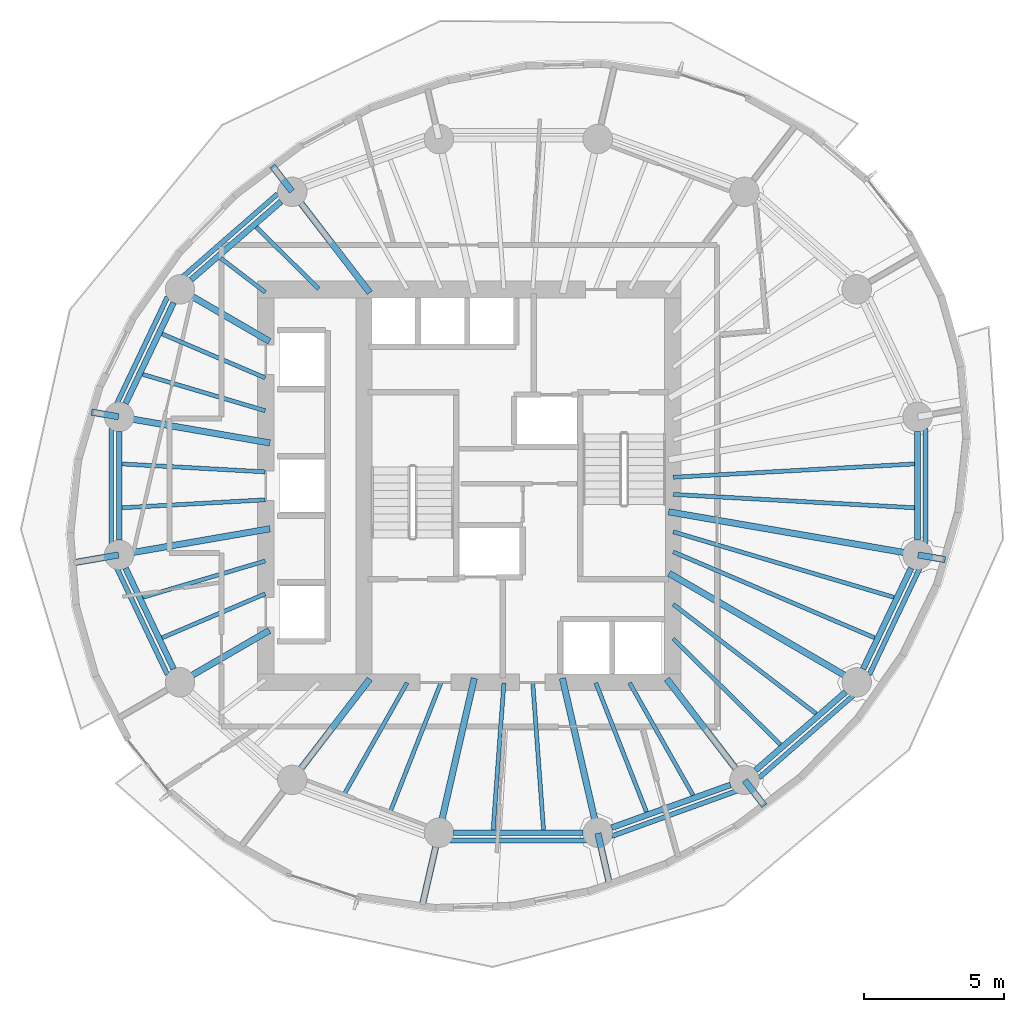
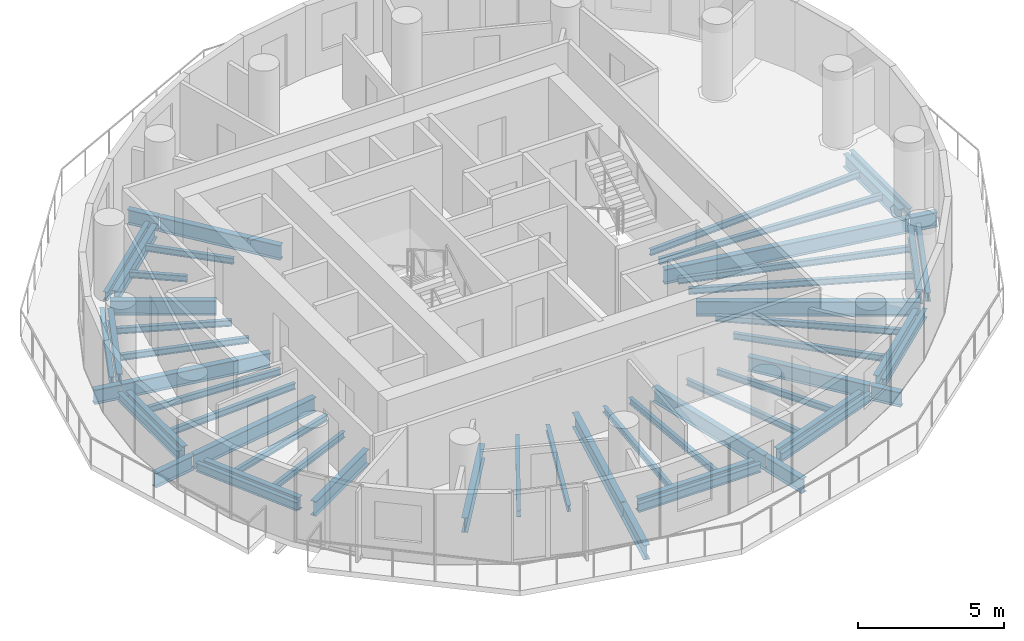
# One storey, part 2 of 12: 56 beams.
"""IFC4 building model written with IfcOpenShell, lengths in metres."""

from ifc_helpers import new_model, si_unit, direction, frame, origin, origin_2d, place, context, subcontext, project, spatial, i_section, extrude, material, material_profile, profile_set, type_object, element, save


model = new_model("IFC4")

# Units and contexts
model_context = context("Model", 3, precision=1e-05, world=origin(), true_north=direction((0.0, 1.0)))
body_context = subcontext(model_context, "Body", "Model", "MODEL_VIEW")
ifc_project = project(units=[si_unit("LENGTHUNIT", "METRE"), si_unit("AREAUNIT", "SQUARE_METRE"), si_unit("VOLUMEUNIT", "CUBIC_METRE"), si_unit("PLANEANGLEUNIT", "RADIAN"), si_unit("MASSUNIT", "GRAM", prefix="KILO")], contexts=[model_context])

# Site, building, storey
site_placement = place(None, origin())
site = spatial("IfcSite", under=ifc_project, at=site_placement, CompositionType="ELEMENT")
building_placement = place(site_placement, origin())
building = spatial("IfcBuilding", under=site, at=building_placement, Name="Veldorim Arch Residences", CompositionType="ELEMENT")
storey_placement = place(building_placement, frame((0.0, 0.0, 139.360107421875)))
storey = spatial("IfcBuildingStorey", under=building, at=storey_placement, Name="L41", CompositionType="ELEMENT", Elevation=139.360107421875)

# Beams
ifc_material_1 = material(Name="Steel S355", Category="steel")
ifc_material_profile_1 = material_profile(ifc_material_1, i_section(OverallWidth=0.2099609375, OverallDepth=0.53662109375, WebThickness=0.0107421875, FlangeThickness=0.017333984375, at=origin_2d()), Name="UB533x210x101")
ifc_profile_set_1 = profile_set([ifc_material_profile_1], Name="Steel S355")
beam_type_1 = type_object("IfcBeamType", Name="Structural Steel Beam UB533x210x101", PredefinedType="BEAM", material=ifc_profile_set_1)
beam_1_placement = place(storey_placement, frame((23.5478515625, 34.132080078125, -0.50830078125), z_axis=(-0.754810789581, -0.655942582802, 0.0), x_axis=(0.655942582802, -0.754810789581, 0.0)))
element("IfcBeam", 1, at=beam_1_placement, inside=storey, type_object=beam_type_1, Name="L41 perimeter ring tie beam 06", PredefinedType="BEAM", context=body_context, shape_type="SweptSolid", body=[
    extrude(i_section(OverallWidth=0.2099609375, OverallDepth=0.53662109375, WebThickness=0.0107421875, FlangeThickness=0.017333984375, at=origin_2d()), origin(), (0.0, 0.0, 1.0), 4.249755859375),
])
beam_2_placement = place(storey_placement, frame((19.7177734375, 30.5263671875, -0.50830078125), z_axis=(-0.43028577851, -0.902692721147, 0.0), x_axis=(0.902692721147, -0.43028577851, 0.0)))
element("IfcBeam", 2, at=beam_2_placement, inside=storey, type_object=beam_type_1, Name="L41 perimeter ring tie beam 07", PredefinedType="BEAM", context=body_context, shape_type="SweptSolid", body=[
    extrude(i_section(OverallWidth=0.2099609375, OverallDepth=0.53662109375, WebThickness=0.0107421875, FlangeThickness=0.017333984375, at=origin_2d()), origin(), (0.0, 0.0, 1.0), 3.98193359375),
])
beam_3_placement = place(storey_placement, frame((17.778564453125, 25.93310546875, -0.50830078125), z_axis=(0.0, -1.0, 0.0), x_axis=(1.0, 0.0, 0.0)))
element("IfcBeam", 3, at=beam_3_placement, inside=storey, type_object=beam_type_1, Name="L41 perimeter ring tie beam 08", PredefinedType="BEAM", context=body_context, shape_type="SweptSolid", body=[
    extrude(i_section(OverallWidth=0.2099609375, OverallDepth=0.53662109375, WebThickness=0.0107421875, FlangeThickness=0.017333984375, at=origin_2d()), origin(), (0.0, 0.0, 1.0), 3.8662109375),
])
beam_4_placement = place(storey_placement, frame((18.00439453125, 21.068115234375, -0.50830078125), z_axis=(0.43028577851, -0.902692721147, 0.0), x_axis=(0.902692721147, 0.43028577851, 0.0)))
element("IfcBeam", 4, at=beam_4_placement, inside=storey, type_object=beam_type_1, Name="L41 perimeter ring tie beam 09", PredefinedType="BEAM", context=body_context, shape_type="SweptSolid", body=[
    extrude(i_section(OverallWidth=0.2099609375, OverallDepth=0.53662109375, WebThickness=0.0107421875, FlangeThickness=0.017333984375, at=origin_2d()), origin(), (0.0, 0.0, 1.0), 3.98193359375),
])
beam_5_placement = place(storey_placement, frame((29.6962890625, 11.64208984375, -0.50830078125), z_axis=(1.0, 0.0, 0.0), x_axis=(0.0, 1.0, 0.0)))
element("IfcBeam", 5, at=beam_5_placement, inside=storey, type_object=beam_type_1, Name="L41 perimeter ring tie beam 12", PredefinedType="BEAM", context=body_context, shape_type="SweptSolid", body=[
    extrude(i_section(OverallWidth=0.2099609375, OverallDepth=0.53662109375, WebThickness=0.0107421875, FlangeThickness=0.017333984375, at=origin_2d()), origin(), (0.0, 0.0, 1.0), 4.607421875),
])
beam_6_placement = place(storey_placement, frame((35.32275390625, 11.81982421875, -0.50830078125), z_axis=(0.940899155006, 0.338686846673, 0.0), x_axis=(-0.338686846673, 0.940899155006, 0.0)))
element("IfcBeam", 6, at=beam_6_placement, inside=storey, type_object=beam_type_1, Name="L41 perimeter ring tie beam 13", PredefinedType="BEAM", context=body_context, shape_type="SweptSolid", body=[
    extrude(i_section(OverallWidth=0.2099609375, OverallDepth=0.53662109375, WebThickness=0.0107421875, FlangeThickness=0.017333984375, at=origin_2d()), origin(), (0.0, 0.0, 1.0), 4.50537109375),
])
beam_7_placement = place(storey_placement, frame((40.4521484375, 13.867919921875, -0.50830078125), z_axis=(0.754810789581, 0.655942582802, 0.0), x_axis=(-0.655942582802, 0.754810789581, 0.0)))
element("IfcBeam", 7, at=beam_7_placement, inside=storey, type_object=beam_type_1, Name="L41 perimeter ring tie beam 14", PredefinedType="BEAM", context=body_context, shape_type="SweptSolid", body=[
    extrude(i_section(OverallWidth=0.2099609375, OverallDepth=0.53662109375, WebThickness=0.0107421875, FlangeThickness=0.017333984375, at=origin_2d()), origin(), (0.0, 0.0, 1.0), 4.249755859375),
])
beam_8_placement = place(storey_placement, frame((44.2822265625, 17.4736328125, -0.50830078125), z_axis=(0.43028577851, 0.902692721147, 0.0), x_axis=(-0.902692721147, 0.43028577851, 0.0)))
element("IfcBeam", 8, at=beam_8_placement, inside=storey, type_object=beam_type_1, Name="L41 perimeter ring tie beam 15", PredefinedType="BEAM", context=body_context, shape_type="SweptSolid", body=[
    extrude(i_section(OverallWidth=0.2099609375, OverallDepth=0.53662109375, WebThickness=0.0107421875, FlangeThickness=0.017333984375, at=origin_2d()), origin(), (0.0, 0.0, 1.0), 3.98193359375),
])
beam_9_placement = place(storey_placement, frame((46.221435546875, 22.06689453125, -0.50830078125), z_axis=(0.0, 1.0, 0.0), x_axis=(-1.0, 0.0, 0.0)))
element("IfcBeam", 9, at=beam_9_placement, inside=storey, type_object=beam_type_1, Name="L41 perimeter ring tie beam 16", PredefinedType="BEAM", context=body_context, shape_type="SweptSolid", body=[
    extrude(i_section(OverallWidth=0.2099609375, OverallDepth=0.53662109375, WebThickness=0.0107421875, FlangeThickness=0.017333984375, at=origin_2d()), origin(), (0.0, 0.0, 1.0), 3.8662109375),
])
ifc_material_2 = material(Name="Steel S355", Category="steel")
ifc_material_profile_2 = material_profile(ifc_material_2, i_section(OverallWidth=0.22900390625, OverallDepth=0.6123046875, WebThickness=0.011962890625, FlangeThickness=0.01953125, at=origin_2d()), Name="UB610x229x125")
ifc_profile_set_2 = profile_set([ifc_material_profile_2], Name="Steel S355")
beam_type_2 = type_object("IfcBeamType", Name="Structural Steel Beam UB610x229x125", PredefinedType="BEAM", material=ifc_profile_set_2)
beam_10_placement = place(storey_placement, frame((26.708740234375, 30.881103515625, -0.546142578125), z_axis=(-0.609559199361, 0.792740551804, 0.0), x_axis=(-0.792740551804, -0.609559199361, 0.0)))
element("IfcBeam", 10, at=beam_10_placement, inside=storey, type_object=beam_type_2, Name="L41 radial floor girder 06", PredefinedType="BEAM", context=body_context, shape_type="SweptSolid", body=[
    extrude(i_section(OverallWidth=0.22900390625, OverallDepth=0.6123046875, WebThickness=0.011962890625, FlangeThickness=0.01953125, at=origin_2d()), origin(), (0.0, 0.0, 1.0), 4.515380859375),
])
beam_11_placement = place(storey_placement, frame((23.931884765625, 34.492431640625, -0.546142578125), z_axis=(-0.609493928704, 0.792790735865, 0.0), x_axis=(-0.792790735865, -0.609493928704, 0.0)))
element("IfcBeam", 11, at=beam_11_placement, inside=storey, type_object=beam_type_2, Name="L41 radial edge cantilever girder 06", PredefinedType="BEAM", context=body_context, shape_type="SweptSolid", body=[
    extrude(i_section(OverallWidth=0.22900390625, OverallDepth=0.6123046875, WebThickness=0.011962890625, FlangeThickness=0.01953125, at=origin_2d()), origin(), (0.0, 0.0, 1.0), 1.142822265625),
])
beam_12_placement = place(storey_placement, frame((23.129638671875, 29.150390625, -0.546142578125), z_axis=(-0.864794546612, 0.502125872815, 0.0), x_axis=(-0.502125872815, -0.864794546612, 0.0)))
element("IfcBeam", 12, at=beam_12_placement, inside=storey, type_object=beam_type_2, Name="L41 radial floor girder 07", PredefinedType="BEAM", context=body_context, shape_type="SweptSolid", body=[
    extrude(i_section(OverallWidth=0.22900390625, OverallDepth=0.6123046875, WebThickness=0.011962890625, FlangeThickness=0.01953125, at=origin_2d()), origin(), (0.0, 0.0, 1.0), 3.6640625),
])
beam_13_placement = place(storey_placement, frame((23.147705078125, 25.530029296875, -0.546142578125), z_axis=(-0.985390445301, 0.170310511449, 0.0), x_axis=(-0.170310511449, -0.985390445301, 0.0)))
element("IfcBeam", 13, at=beam_13_placement, inside=storey, type_object=beam_type_2, Name="L41 radial floor girder 08", PredefinedType="BEAM", context=body_context, shape_type="SweptSolid", body=[
    extrude(i_section(OverallWidth=0.22900390625, OverallDepth=0.6123046875, WebThickness=0.011962890625, FlangeThickness=0.01953125, at=origin_2d()), origin(), (0.0, 0.0, 1.0), 5.4287109375),
])
beam_14_placement = place(storey_placement, frame((17.7587890625, 26.46142578125, -0.546142578125), z_axis=(-0.985360944305, 0.170481111675, 0.0), x_axis=(-0.170481111675, -0.985360944305, 0.0)))
element("IfcBeam", 14, at=beam_14_placement, inside=storey, type_object=beam_type_2, Name="L41 radial edge cantilever girder 08", PredefinedType="BEAM", context=body_context, shape_type="SweptSolid", body=[
    extrude(i_section(OverallWidth=0.22900390625, OverallDepth=0.6123046875, WebThickness=0.011962890625, FlangeThickness=0.01953125, at=origin_2d()), origin(), (0.0, 0.0, 1.0), 0.982421875),
])
beam_15_placement = place(storey_placement, frame((23.147705078125, 22.469970703125, -0.546142578125), z_axis=(-0.985390445301, -0.170310511449, 0.0), x_axis=(0.170310511449, -0.985390445301, 0.0)))
element("IfcBeam", 15, at=beam_15_placement, inside=storey, type_object=beam_type_2, Name="L41 radial floor girder 09", PredefinedType="BEAM", context=body_context, shape_type="SweptSolid", body=[
    extrude(i_section(OverallWidth=0.22900390625, OverallDepth=0.6123046875, WebThickness=0.011962890625, FlangeThickness=0.01953125, at=origin_2d()), origin(), (0.0, 0.0, 1.0), 5.4287109375),
])
beam_16_placement = place(storey_placement, frame((17.7587890625, 21.53857421875, -0.546142578125), z_axis=(-0.985381722232, -0.170360974082, 0.0), x_axis=(0.170360974082, -0.985381722232, 0.0)))
element("IfcBeam", 16, at=beam_16_placement, inside=storey, type_object=beam_type_2, Name="L41 radial edge cantilever girder 09", PredefinedType="BEAM", context=body_context, shape_type="SweptSolid", body=[
    extrude(i_section(OverallWidth=0.22900390625, OverallDepth=0.6123046875, WebThickness=0.011962890625, FlangeThickness=0.01953125, at=origin_2d()), origin(), (0.0, 0.0, 1.0), 1.6923828125),
])
beam_17_placement = place(storey_placement, frame((23.129638671875, 18.849609375, -0.546142578125), z_axis=(-0.864794546612, -0.502125872815, 0.0), x_axis=(0.502125872815, -0.864794546612, 0.0)))
element("IfcBeam", 17, at=beam_17_placement, inside=storey, type_object=beam_type_2, Name="L41 radial floor girder 10", PredefinedType="BEAM", context=body_context, shape_type="SweptSolid", body=[
    extrude(i_section(OverallWidth=0.22900390625, OverallDepth=0.6123046875, WebThickness=0.011962890625, FlangeThickness=0.01953125, at=origin_2d()), origin(), (0.0, 0.0, 1.0), 3.6640625),
])
beam_18_placement = place(storey_placement, frame((26.708740234375, 17.118896484375, -0.546142578125), z_axis=(-0.609559199361, -0.792740551804, 0.0), x_axis=(0.792740551804, -0.609559199361, 0.0)))
element("IfcBeam", 18, at=beam_18_placement, inside=storey, type_object=beam_type_2, Name="L41 radial floor girder 11", PredefinedType="BEAM", context=body_context, shape_type="SweptSolid", body=[
    extrude(i_section(OverallWidth=0.22900390625, OverallDepth=0.6123046875, WebThickness=0.011962890625, FlangeThickness=0.01953125, at=origin_2d()), origin(), (0.0, 0.0, 1.0), 4.515380859375),
])
beam_19_placement = place(storey_placement, frame((30.43115234375, 17.146240234375, -0.546142578125), z_axis=(-0.223119342184, -0.974791136164, 0.0), x_axis=(0.974791136164, -0.223119342184, 0.0)))
element("IfcBeam", 19, at=beam_19_placement, inside=storey, type_object=beam_type_2, Name="L41 radial floor girder 12", PredefinedType="BEAM", context=body_context, shape_type="SweptSolid", body=[
    extrude(i_section(OverallWidth=0.22900390625, OverallDepth=0.6123046875, WebThickness=0.011962890625, FlangeThickness=0.01953125, at=origin_2d()), origin(), (0.0, 0.0, 1.0), 5.62646484375),
])
beam_20_placement = place(storey_placement, frame((29.166748046875, 11.62255859375, -0.546142578125), z_axis=(-0.223142644538, -0.974785802209, 0.0), x_axis=(0.974785802209, -0.223142644538, 0.0)))
element("IfcBeam", 20, at=beam_20_placement, inside=storey, type_object=beam_type_2, Name="L41 radial edge cantilever girder 12", PredefinedType="BEAM", context=body_context, shape_type="SweptSolid", body=[
    extrude(i_section(OverallWidth=0.22900390625, OverallDepth=0.6123046875, WebThickness=0.011962890625, FlangeThickness=0.01953125, at=origin_2d()), origin(), (0.0, 0.0, 1.0), 2.6904296875),
])
beam_21_placement = place(storey_placement, frame((33.56884765625, 17.146240234375, -0.546142578125), z_axis=(0.223119342184, -0.974791136164, 0.0), x_axis=(0.974791136164, 0.223119342184, 0.0)))
element("IfcBeam", 21, at=beam_21_placement, inside=storey, type_object=beam_type_2, Name="L41 radial floor girder 13", PredefinedType="BEAM", context=body_context, shape_type="SweptSolid", body=[
    extrude(i_section(OverallWidth=0.22900390625, OverallDepth=0.6123046875, WebThickness=0.011962890625, FlangeThickness=0.01953125, at=origin_2d()), origin(), (0.0, 0.0, 1.0), 5.62646484375),
])
beam_22_placement = place(storey_placement, frame((34.833251953125, 11.62255859375, -0.546142578125), z_axis=(0.223112606044, -0.97479267797, 0.0), x_axis=(0.97479267797, 0.223112606044, 0.0)))
element("IfcBeam", 22, at=beam_22_placement, inside=storey, type_object=beam_type_2, Name="L41 radial edge cantilever girder 13", PredefinedType="BEAM", context=body_context, shape_type="SweptSolid", body=[
    extrude(i_section(OverallWidth=0.22900390625, OverallDepth=0.6123046875, WebThickness=0.011962890625, FlangeThickness=0.01953125, at=origin_2d()), origin(), (0.0, 0.0, 1.0), 1.888671875),
])
beam_23_placement = place(storey_placement, frame((37.291259765625, 17.118896484375, -0.546142578125), z_axis=(0.609559199361, -0.792740551804, 0.0), x_axis=(0.792740551804, 0.609559199361, 0.0)))
element("IfcBeam", 23, at=beam_23_placement, inside=storey, type_object=beam_type_2, Name="L41 radial floor girder 14", PredefinedType="BEAM", context=body_context, shape_type="SweptSolid", body=[
    extrude(i_section(OverallWidth=0.22900390625, OverallDepth=0.6123046875, WebThickness=0.011962890625, FlangeThickness=0.01953125, at=origin_2d()), origin(), (0.0, 0.0, 1.0), 4.515380859375),
])
beam_24_placement = place(storey_placement, frame((40.068115234375, 13.507568359375, -0.546142578125), z_axis=(0.609493928704, -0.792790735865, 0.0), x_axis=(0.792790735865, 0.609493928704, 0.0)))
element("IfcBeam", 24, at=beam_24_placement, inside=storey, type_object=beam_type_2, Name="L41 radial edge cantilever girder 14", PredefinedType="BEAM", context=body_context, shape_type="SweptSolid", body=[
    extrude(i_section(OverallWidth=0.22900390625, OverallDepth=0.6123046875, WebThickness=0.011962890625, FlangeThickness=0.01953125, at=origin_2d()), origin(), (0.0, 0.0, 1.0), 1.142822265625),
])
beam_25_placement = place(storey_placement, frame((37.370361328125, 20.8818359375, -0.546142578125), z_axis=(0.864793381443, -0.502127879542, 0.0), x_axis=(0.502127879542, 0.864793381443, 0.0)))
element("IfcBeam", 25, at=beam_25_placement, inside=storey, type_object=beam_type_2, Name="L41 radial floor girder 15", PredefinedType="BEAM", context=body_context, shape_type="SweptSolid", body=[
    extrude(i_section(OverallWidth=0.22900390625, OverallDepth=0.6123046875, WebThickness=0.011962890625, FlangeThickness=0.01953125, at=origin_2d()), origin(), (0.0, 0.0, 1.0), 7.71142578125),
])
beam_26_placement = place(storey_placement, frame((37.352294921875, 23.074951171875, -0.546142578125), z_axis=(0.985389398766, -0.170316566427, 0.0), x_axis=(0.170316566427, 0.985389398766, 0.0)))
element("IfcBeam", 26, at=beam_26_placement, inside=storey, type_object=beam_type_2, Name="L41 radial floor girder 16", PredefinedType="BEAM", context=body_context, shape_type="SweptSolid", body=[
    extrude(i_section(OverallWidth=0.22900390625, OverallDepth=0.6123046875, WebThickness=0.011962890625, FlangeThickness=0.01953125, at=origin_2d()), origin(), (0.0, 0.0, 1.0), 8.98046875),
])
beam_27_placement = place(storey_placement, frame((46.2412109375, 21.53857421875, -0.546142578125), z_axis=(0.985360944305, -0.170481111675, 0.0), x_axis=(0.170481111675, 0.985360944305, 0.0)))
element("IfcBeam", 27, at=beam_27_placement, inside=storey, type_object=beam_type_2, Name="L41 radial edge cantilever girder 16", PredefinedType="BEAM", context=body_context, shape_type="SweptSolid", body=[
    extrude(i_section(OverallWidth=0.22900390625, OverallDepth=0.6123046875, WebThickness=0.011962890625, FlangeThickness=0.01953125, at=origin_2d()), origin(), (0.0, 0.0, 1.0), 0.982421875),
])
ifc_material_3 = material(Name="Steel S355", Category="steel")
ifc_material_profile_3 = material_profile(ifc_material_3, i_section(OverallWidth=0.146484375, OverallDepth=0.256103515625, WebThickness=0.00634765625, FlangeThickness=0.010986328125, at=origin_2d()), Name="UB254x146x37")
ifc_profile_set_3 = profile_set([ifc_material_profile_3], Name="Steel S355")
beam_type_3 = type_object("IfcBeamType", Name="Structural Steel Joist UB254x146x37", PredefinedType="JOIST", material=ifc_profile_set_3)
beam_28_placement = place(storey_placement, frame((24.894287109375, 31.013916015625, -0.3681640625), z_axis=(-0.711683379532, 0.702500368183, 0.0), x_axis=(-0.702500368183, -0.711683379532, 0.0)))
element("IfcBeam", 28, at=beam_28_placement, inside=storey, type_object=beam_type_3, Name="L41 secondary radial floor joist 06-1", PredefinedType="JOIST", context=body_context, shape_type="SweptSolid", body=[
    extrude(i_section(OverallWidth=0.146484375, OverallDepth=0.256103515625, WebThickness=0.00634765625, FlangeThickness=0.010986328125, at=origin_2d()), origin(), (0.0, 0.0, 1.0), 3.13720703125),
])
beam_29_placement = place(storey_placement, frame((22.984130859375, 30.89697265625, -0.3681640625), z_axis=(-0.794312925337, 0.607508828448, 0.0), x_axis=(-0.607508828448, -0.794312925337, 0.0)))
element("IfcBeam", 29, at=beam_29_placement, inside=storey, type_object=beam_type_3, Name="L41 secondary radial floor joist 06-2", PredefinedType="JOIST", context=body_context, shape_type="SweptSolid", body=[
    extrude(i_section(OverallWidth=0.146484375, OverallDepth=0.256103515625, WebThickness=0.00634765625, FlangeThickness=0.010986328125, at=origin_2d()), origin(), (0.0, 0.0, 1.0), 2.006103515625),
])
beam_30_placement = place(storey_placement, frame((22.981689453125, 27.84619140625, -0.3681640625), z_axis=(-0.919823469329, 0.392332493265, 0.0), x_axis=(-0.392332493265, -0.919823469329, 0.0)))
element("IfcBeam", 30, at=beam_30_placement, inside=storey, type_object=beam_type_3, Name="L41 secondary radial floor joist 07-1", PredefinedType="JOIST", context=body_context, shape_type="SweptSolid", body=[
    extrude(i_section(OverallWidth=0.146484375, OverallDepth=0.256103515625, WebThickness=0.00634765625, FlangeThickness=0.010986328125, at=origin_2d()), origin(), (0.0, 0.0, 1.0), 3.993896484375),
])
beam_31_placement = place(storey_placement, frame((22.980712890625, 26.677001953125, -0.3681640625), z_axis=(-0.95868163277, 0.284481154014, 0.0), x_axis=(-0.284481154014, -0.95868163277, 0.0)))
element("IfcBeam", 31, at=beam_31_placement, inside=storey, type_object=beam_type_3, Name="L41 secondary radial floor joist 07-2", PredefinedType="JOIST", context=body_context, shape_type="SweptSolid", body=[
    extrude(i_section(OverallWidth=0.146484375, OverallDepth=0.256103515625, WebThickness=0.00634765625, FlangeThickness=0.010986328125, at=origin_2d()), origin(), (0.0, 0.0, 1.0), 4.54931640625),
])
for number, where, z_axis, x_axis, name in (
    (32, (22.97998046875, 24.498779296875, -0.3681640625), (-0.998472994317, 0.055242009562, 0.0), (-0.055242009562, -0.998472994317, 0.0), "L41 secondary radial floor joist 08-1"),
    (33, (22.97998046875, 23.501220703125, -0.3681640625), (-0.998472994317, -0.055242009562, 0.0), (0.055242009562, -0.998472994317, 0.0), "L41 secondary radial floor joist 08-2"),
):
    element("IfcBeam", number, at=place(storey_placement, frame(where, z_axis=z_axis, x_axis=x_axis)), inside=storey, type_object=beam_type_3, Name=name, PredefinedType="JOIST", context=body_context, shape_type="SweptSolid", body=[
        extrude(i_section(OverallWidth=0.146484375, OverallDepth=0.256103515625, WebThickness=0.00634765625, FlangeThickness=0.010986328125, at=origin_2d()), origin(), (0.0, 0.0, 1.0), 5.10009765625),
    ])
beam_32_placement = place(storey_placement, frame((22.980712890625, 21.322998046875, -0.3681640625), z_axis=(-0.95868163277, -0.284481154014, 0.0), x_axis=(0.284481154014, -0.95868163277, 0.0)))
element("IfcBeam", 34, at=beam_32_placement, inside=storey, type_object=beam_type_3, Name="L41 secondary radial floor joist 09-1", PredefinedType="JOIST", context=body_context, shape_type="SweptSolid", body=[
    extrude(i_section(OverallWidth=0.146484375, OverallDepth=0.256103515625, WebThickness=0.00634765625, FlangeThickness=0.010986328125, at=origin_2d()), origin(), (0.0, 0.0, 1.0), 4.54931640625),
])
beam_33_placement = place(storey_placement, frame((22.981689453125, 20.15380859375, -0.3681640625), z_axis=(-0.919823469329, -0.392332493265, 0.0), x_axis=(0.392332493265, -0.919823469329, 0.0)))
element("IfcBeam", 35, at=beam_33_placement, inside=storey, type_object=beam_type_3, Name="L41 secondary radial floor joist 09-2", PredefinedType="JOIST", context=body_context, shape_type="SweptSolid", body=[
    extrude(i_section(OverallWidth=0.146484375, OverallDepth=0.256103515625, WebThickness=0.00634765625, FlangeThickness=0.010986328125, at=origin_2d()), origin(), (0.0, 0.0, 1.0), 3.993896484375),
])
beam_34_placement = place(storey_placement, frame((28.03662109375, 16.982666015625, -0.3681640625), z_axis=(-0.491815801586, -0.870699269157, 0.0), x_axis=(0.870699269157, -0.491815801586, 0.0)))
element("IfcBeam", 36, at=beam_34_placement, inside=storey, type_object=beam_type_3, Name="L41 secondary radial floor joist 11-1", PredefinedType="JOIST", context=body_context, shape_type="SweptSolid", body=[
    extrude(i_section(OverallWidth=0.146484375, OverallDepth=0.256103515625, WebThickness=0.00634765625, FlangeThickness=0.010986328125, at=origin_2d()), origin(), (0.0, 0.0, 1.0), 4.59814453125),
])
beam_35_placement = place(storey_placement, frame((29.2412109375, 16.9814453125, -0.3681640625), z_axis=(-0.365777738491, -0.930702232739, 0.0), x_axis=(0.930702232739, -0.365777738491, 0.0)))
element("IfcBeam", 37, at=beam_35_placement, inside=storey, type_object=beam_type_3, Name="L41 secondary radial floor joist 11-2", PredefinedType="JOIST", context=body_context, shape_type="SweptSolid", body=[
    extrude(i_section(OverallWidth=0.146484375, OverallDepth=0.256103515625, WebThickness=0.00634765625, FlangeThickness=0.010986328125, at=origin_2d()), origin(), (0.0, 0.0, 1.0), 4.9404296875),
])
for number, where, z_axis, x_axis, name in (
    (38, (31.48583984375, 16.97998046875, -0.3681640625), (-0.073060364166, -0.997327520521, 0.0), (0.997327520521, -0.073060364166, 0.0), "L41 secondary radial floor joist 12-1"),
    (39, (32.51416015625, 16.97998046875, -0.3681640625), (0.073060364166, -0.997327520521, 0.0), (0.997327520521, 0.073060364166, 0.0), "L41 secondary radial floor joist 12-2"),
):
    element("IfcBeam", number, at=place(storey_placement, frame(where, z_axis=z_axis, x_axis=x_axis)), inside=storey, type_object=beam_type_3, Name=name, PredefinedType="JOIST", context=body_context, shape_type="SweptSolid", body=[
        extrude(i_section(OverallWidth=0.146484375, OverallDepth=0.256103515625, WebThickness=0.00634765625, FlangeThickness=0.010986328125, at=origin_2d()), origin(), (0.0, 0.0, 1.0), 5.242919921875),
    ])
beam_36_placement = place(storey_placement, frame((34.7587890625, 16.9814453125, -0.3681640625), z_axis=(0.365777738491, -0.930702232739, 0.0), x_axis=(0.930702232739, 0.365777738491, 0.0)))
element("IfcBeam", 40, at=beam_36_placement, inside=storey, type_object=beam_type_3, Name="L41 secondary radial floor joist 13-1", PredefinedType="JOIST", context=body_context, shape_type="SweptSolid", body=[
    extrude(i_section(OverallWidth=0.146484375, OverallDepth=0.256103515625, WebThickness=0.00634765625, FlangeThickness=0.010986328125, at=origin_2d()), origin(), (0.0, 0.0, 1.0), 4.9404296875),
])
beam_37_placement = place(storey_placement, frame((35.96337890625, 16.982666015625, -0.3681640625), z_axis=(0.491815801586, -0.870699269157, 0.0), x_axis=(0.870699269157, 0.491815801586, 0.0)))
element("IfcBeam", 41, at=beam_37_placement, inside=storey, type_object=beam_type_3, Name="L41 secondary radial floor joist 13-2", PredefinedType="JOIST", context=body_context, shape_type="SweptSolid", body=[
    extrude(i_section(OverallWidth=0.146484375, OverallDepth=0.256103515625, WebThickness=0.00634765625, FlangeThickness=0.010986328125, at=origin_2d()), origin(), (0.0, 0.0, 1.0), 4.59814453125),
])
beam_38_placement = place(storey_placement, frame((37.51416015625, 18.556884765625, -0.3681640625), z_axis=(0.711703457158, -0.702480027523, 0.0), x_axis=(0.702480027523, 0.711703457158, 0.0)))
element("IfcBeam", 42, at=beam_38_placement, inside=storey, type_object=beam_type_3, Name="L41 secondary radial floor joist 14-1", PredefinedType="JOIST", context=body_context, shape_type="SweptSolid", body=[
    extrude(i_section(OverallWidth=0.146484375, OverallDepth=0.256103515625, WebThickness=0.00634765625, FlangeThickness=0.010986328125, at=origin_2d()), origin(), (0.0, 0.0, 1.0), 5.373291015625),
])
beam_39_placement = place(storey_placement, frame((37.515869140625, 19.780517578125, -0.3681640625), z_axis=(0.794267053144, -0.607568801281, 0.0), x_axis=(0.607568801281, 0.794267053144, 0.0)))
element("IfcBeam", 43, at=beam_39_placement, inside=storey, type_object=beam_type_3, Name="L41 secondary radial floor joist 14-2", PredefinedType="JOIST", context=body_context, shape_type="SweptSolid", body=[
    extrude(i_section(OverallWidth=0.146484375, OverallDepth=0.256103515625, WebThickness=0.00634765625, FlangeThickness=0.010986328125, at=origin_2d()), origin(), (0.0, 0.0, 1.0), 6.412841796875),
])
beam_40_placement = place(storey_placement, frame((37.518310546875, 21.646484375, -0.3681640625), z_axis=(0.919831795434, -0.39231297214, 0.0), x_axis=(0.39231297214, 0.919831795434, 0.0)))
element("IfcBeam", 44, at=beam_40_placement, inside=storey, type_object=beam_type_3, Name="L41 secondary radial floor joist 15-1", PredefinedType="JOIST", context=body_context, shape_type="SweptSolid", body=[
    extrude(i_section(OverallWidth=0.146484375, OverallDepth=0.256103515625, WebThickness=0.00634765625, FlangeThickness=0.010986328125, at=origin_2d()), origin(), (0.0, 0.0, 1.0), 7.798828125),
])
beam_41_placement = place(storey_placement, frame((37.519287109375, 22.36181640625, -0.3681640625), z_axis=(0.958674276305, -0.284505943614, 0.0), x_axis=(0.284505943614, 0.958674276305, 0.0)))
element("IfcBeam", 45, at=beam_41_placement, inside=storey, type_object=beam_type_3, Name="L41 secondary radial floor joist 15-2", PredefinedType="JOIST", context=body_context, shape_type="SweptSolid", body=[
    extrude(i_section(OverallWidth=0.146484375, OverallDepth=0.256103515625, WebThickness=0.00634765625, FlangeThickness=0.010986328125, at=origin_2d()), origin(), (0.0, 0.0, 1.0), 8.2001953125),
])
for number, where, z_axis, x_axis, name in (
    (46, (37.52001953125, 23.694580078125, -0.3681640625), (0.998474809964, -0.055209182821, 0.0), (0.055209182821, 0.998474809964, 0.0), "L41 secondary radial floor joist 16-1"),
    (47, (37.52001953125, 24.305419921875, -0.3681640625), (0.998474809964, 0.055209182821, 0.0), (-0.055209182821, 0.998474809964, 0.0), "L41 secondary radial floor joist 16-2"),
):
    element("IfcBeam", number, at=place(storey_placement, frame(where, z_axis=z_axis, x_axis=x_axis)), inside=storey, type_object=beam_type_3, Name=name, PredefinedType="JOIST", context=body_context, shape_type="SweptSolid", body=[
        extrude(i_section(OverallWidth=0.146484375, OverallDepth=0.256103515625, WebThickness=0.00634765625, FlangeThickness=0.010986328125, at=origin_2d()), origin(), (0.0, 0.0, 1.0), 8.60546875),
    ])
ifc_material_4 = material(Name="Steel S355", Category="steel")
ifc_material_profile_4 = material_profile(ifc_material_4, i_section(OverallWidth=0.172119140625, OverallDepth=0.35791015625, WebThickness=0.008056640625, FlangeThickness=0.012939453125, at=origin_2d()), Name="UB356x171x57")
ifc_profile_set_4 = profile_set([ifc_material_profile_4], Name="Steel S355")
beam_type_4 = type_object("IfcBeamType", Name="Structural Steel Spandrel UB356x171x57", PredefinedType="SPANDREL", material=ifc_profile_set_4)
beam_42_placement = place(storey_placement, frame((23.42041015625, 34.4013671875, -0.439208984375), z_axis=(-0.753014748982, -0.658003638148, 0.0), x_axis=(0.658003638148, -0.753014748982, 0.0)))
element("IfcBeam", 48, at=beam_42_placement, inside=storey, type_object=beam_type_4, Name="L41 perimeter chord spandrel beam 06", PredefinedType="SPANDREL", context=body_context, shape_type="SweptSolid", body=[
    extrude(i_section(OverallWidth=0.172119140625, OverallDepth=0.35791015625, WebThickness=0.008056640625, FlangeThickness=0.012939453125, at=origin_2d()), origin(), (0.0, 0.0, 1.0), 4.486572265625),
])
beam_43_placement = place(storey_placement, frame((19.49609375, 30.727783203125, -0.439208984375), z_axis=(-0.428579957662, -0.903503857153, 0.0), x_axis=(0.903503857153, -0.428579957662, 0.0)))
element("IfcBeam", 49, at=beam_43_placement, inside=storey, type_object=beam_type_4, Name="L41 perimeter chord spandrel beam 07", PredefinedType="SPANDREL", context=body_context, shape_type="SweptSolid", body=[
    extrude(i_section(OverallWidth=0.172119140625, OverallDepth=0.35791015625, WebThickness=0.008056640625, FlangeThickness=0.012939453125, at=origin_2d()), origin(), (0.0, 0.0, 1.0), 4.209228515625),
])
beam_44_placement = place(storey_placement, frame((17.494140625, 26.04541015625, -0.439208984375), z_axis=(0.0, -1.0, 0.0), x_axis=(1.0, 0.0, 0.0)))
element("IfcBeam", 50, at=beam_44_placement, inside=storey, type_object=beam_type_4, Name="L41 perimeter chord spandrel beam 08", PredefinedType="SPANDREL", context=body_context, shape_type="SweptSolid", body=[
    extrude(i_section(OverallWidth=0.172119140625, OverallDepth=0.35791015625, WebThickness=0.008056640625, FlangeThickness=0.012939453125, at=origin_2d()), origin(), (0.0, 0.0, 1.0), 4.0908203125),
])
beam_45_placement = place(storey_placement, frame((17.692138671875, 21.0751953125, -0.439208984375), z_axis=(0.428579957662, -0.903503857153, 0.0), x_axis=(0.903503857153, 0.428579957662, 0.0)))
element("IfcBeam", 51, at=beam_45_placement, inside=storey, type_object=beam_type_4, Name="L41 perimeter chord spandrel beam 09", PredefinedType="SPANDREL", context=body_context, shape_type="SweptSolid", body=[
    extrude(i_section(OverallWidth=0.172119140625, OverallDepth=0.35791015625, WebThickness=0.008056640625, FlangeThickness=0.012939453125, at=origin_2d()), origin(), (0.0, 0.0, 1.0), 4.209228515625),
])
beam_46_placement = place(storey_placement, frame((29.56884765625, 11.360595703125, -0.439208984375), z_axis=(1.0, 0.0, 0.0), x_axis=(0.0, 1.0, 0.0)))
element("IfcBeam", 52, at=beam_46_placement, inside=storey, type_object=beam_type_4, Name="L41 perimeter chord spandrel beam 12", PredefinedType="SPANDREL", context=body_context, shape_type="SweptSolid", body=[
    extrude(i_section(OverallWidth=0.172119140625, OverallDepth=0.35791015625, WebThickness=0.008056640625, FlangeThickness=0.012939453125, at=origin_2d()), origin(), (0.0, 0.0, 1.0), 4.8623046875),
])
beam_47_placement = place(storey_placement, frame((35.32763671875, 11.51806640625, -0.439208984375), z_axis=(0.940212553113, 0.340588248429, 0.0), x_axis=(-0.340588248429, 0.940212553113, 0.0)))
element("IfcBeam", 53, at=beam_47_placement, inside=storey, type_object=beam_type_4, Name="L41 perimeter chord spandrel beam 13", PredefinedType="SPANDREL", context=body_context, shape_type="SweptSolid", body=[
    extrude(i_section(OverallWidth=0.172119140625, OverallDepth=0.35791015625, WebThickness=0.008056640625, FlangeThickness=0.012939453125, at=origin_2d()), origin(), (0.0, 0.0, 1.0), 4.75390625),
])
beam_48_placement = place(storey_placement, frame((40.57958984375, 13.5986328125, -0.439208984375), z_axis=(0.753014748982, 0.658003638148, 0.0), x_axis=(-0.658003638148, 0.753014748982, 0.0)))
element("IfcBeam", 54, at=beam_48_placement, inside=storey, type_object=beam_type_4, Name="L41 perimeter chord spandrel beam 14", PredefinedType="SPANDREL", context=body_context, shape_type="SweptSolid", body=[
    extrude(i_section(OverallWidth=0.172119140625, OverallDepth=0.35791015625, WebThickness=0.008056640625, FlangeThickness=0.012939453125, at=origin_2d()), origin(), (0.0, 0.0, 1.0), 4.486572265625),
])
beam_49_placement = place(storey_placement, frame((44.50390625, 17.272216796875, -0.439208984375), z_axis=(0.428579957662, 0.903503857153, 0.0), x_axis=(-0.903503857153, 0.428579957662, 0.0)))
element("IfcBeam", 55, at=beam_49_placement, inside=storey, type_object=beam_type_4, Name="L41 perimeter chord spandrel beam 15", PredefinedType="SPANDREL", context=body_context, shape_type="SweptSolid", body=[
    extrude(i_section(OverallWidth=0.172119140625, OverallDepth=0.35791015625, WebThickness=0.008056640625, FlangeThickness=0.012939453125, at=origin_2d()), origin(), (0.0, 0.0, 1.0), 4.209228515625),
])
beam_50_placement = place(storey_placement, frame((46.505859375, 21.95458984375, -0.439208984375), z_axis=(0.0, 1.0, 0.0), x_axis=(-1.0, 0.0, 0.0)))
element("IfcBeam", 56, at=beam_50_placement, inside=storey, type_object=beam_type_4, Name="L41 perimeter chord spandrel beam 16", PredefinedType="SPANDREL", context=body_context, shape_type="SweptSolid", body=[
    extrude(i_section(OverallWidth=0.172119140625, OverallDepth=0.35791015625, WebThickness=0.008056640625, FlangeThickness=0.012939453125, at=origin_2d()), origin(), (0.0, 0.0, 1.0), 4.0908203125),
])

save(model, "model.ifc")
